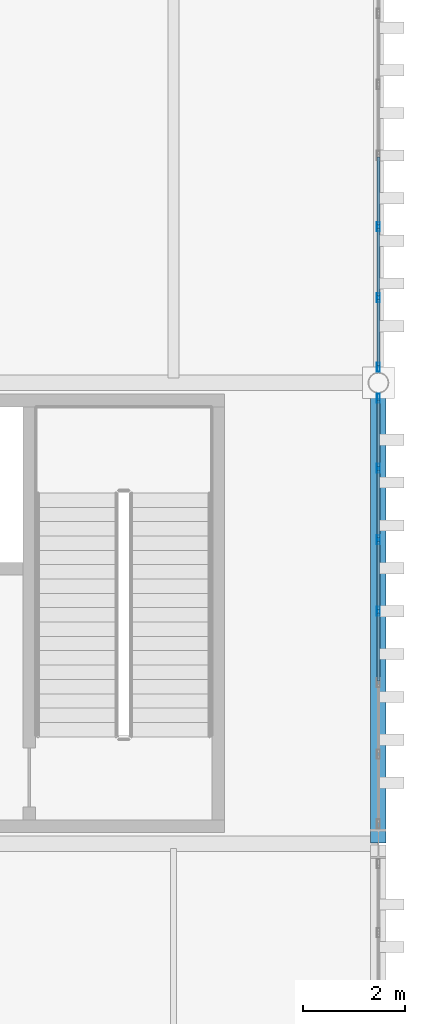
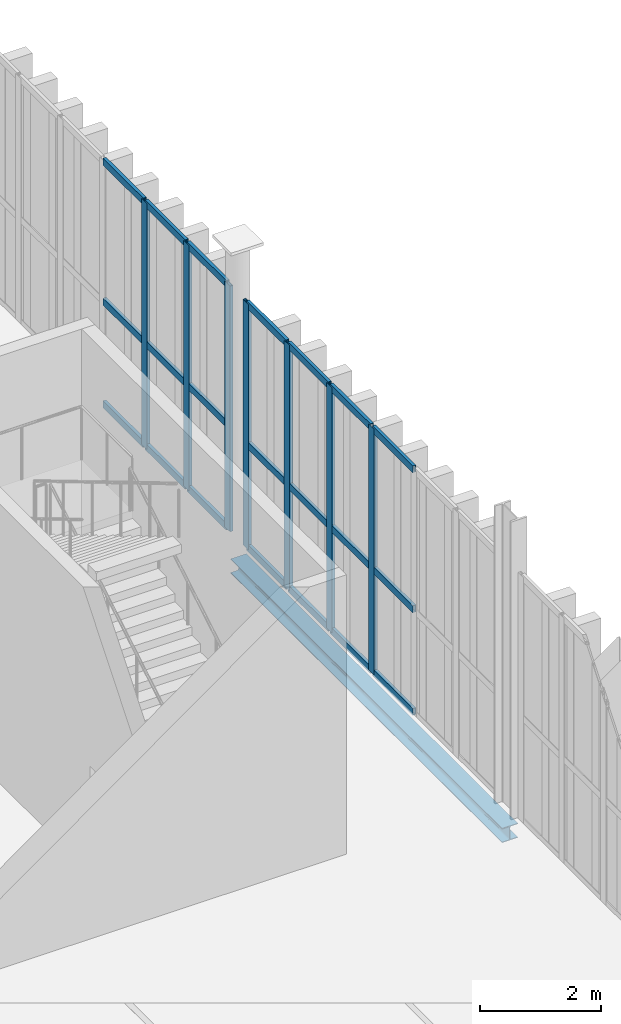
# One storey, part 105 of 211: 28 members, 1 beam, 2 elements without a shape of their own.
"""IFC4 building model written with IfcOpenShell, lengths in metres."""

from ifc_helpers import new_model, si_unit, direction, frame, origin, origin_2d, place, context, subcontext, project, spatial, hollow_rectangle, i_section, extrude, material, layer, layer_set, material_profile, profile_set, type_object, element, aggregate, save


model = new_model("IFC4")

# Units and contexts
model_context = context("Model", 3, precision=1e-05, world=origin(), true_north=direction((0.0, 1.0)))
body_context = subcontext(model_context, "Body", "Model", "MODEL_VIEW")
ifc_project = project(units=[si_unit("LENGTHUNIT", "METRE"), si_unit("AREAUNIT", "SQUARE_METRE"), si_unit("VOLUMEUNIT", "CUBIC_METRE"), si_unit("PLANEANGLEUNIT", "RADIAN"), si_unit("MASSUNIT", "GRAM", prefix="KILO")], contexts=[model_context])

# Site, building, storey
site_placement = place(None, origin())
site = spatial("IfcSite", under=ifc_project, at=site_placement, CompositionType="ELEMENT")
building_placement = place(site_placement, origin())
building = spatial("IfcBuilding", under=site, at=building_placement, Name="Barlavento Convention Centre", CompositionType="ELEMENT")
storey_placement = place(building_placement, frame((0.0, 0.0, 6.0)))
storey = spatial("IfcBuildingStorey", under=building, at=storey_placement, Name="L01", CompositionType="ELEMENT", Elevation=6.0)

# Curtain wall, members
ifc_material_1 = material(Name="Powder-coated aluminium and Low-E glass", Category="aluminium")
ifc_layer = layer(ifc_material_1, 0.195068359375)
ifc_layer_set = layer_set([ifc_layer], Name="ARC-CW-FOY-L01")
curtain_wall_type = type_object("IfcCurtainWallType", Name="ARC-CW-FOY-L01", PredefinedType="NOTDEFINED", material=ifc_layer_set)
curtain_wall_1_placement = place(storey_placement, origin())
curtain_wall_1 = element("IfcCurtainWall", 1, at=curtain_wall_1_placement, inside=storey, type_object=curtain_wall_type, Name="L01 unitised curtain wall CW03", PredefinedType="NOTDEFINED")
ifc_material_2 = material(Name="Powder-coated aluminium", Category="aluminium")
ifc_material_profile_1 = material_profile(ifc_material_2, hollow_rectangle(XDim=0.06005859375, YDim=0.179931640625, WallThickness=0.0048828125, at=origin_2d()), Name="AL-MULL 60x180x5")
ifc_profile_set_1 = profile_set([ifc_material_profile_1], Name="Powder-coated aluminium")
member_type_1 = type_object("IfcMemberType", Name="ARC-CWM-60X180", PredefinedType="MULLION", material=ifc_profile_set_1)
member_1_placement = place(storey_placement, frame((192.0, 40.54150390625, 0.0), z_axis=(0.0, 0.0, 1.0), x_axis=(-1.0, 0.0, 0.0)))
member_1 = element("IfcMember", 2, at=member_1_placement, type_object=member_type_1, Name="CW03 mullion 4", PredefinedType="MULLION", context=body_context, shape_type="SweptSolid", body=[
    extrude(hollow_rectangle(XDim=0.06005859375, YDim=0.179931640625, WallThickness=0.0048828125, at=origin_2d()), origin(), (0.0, 0.0, 1.0), 4.949951171875),
])
member_2_placement = place(storey_placement, frame((192.0, 41.9365234375, 0.0), z_axis=(0.0, 0.0, 1.0), x_axis=(-1.0, 0.0, 0.0)))
member_2 = element("IfcMember", 3, at=member_2_placement, type_object=member_type_1, Name="CW03 mullion 5", PredefinedType="MULLION", context=body_context, shape_type="SweptSolid", body=[
    extrude(hollow_rectangle(XDim=0.06005859375, YDim=0.179931640625, WallThickness=0.0048828125, at=origin_2d()), origin(), (0.0, 0.0, 1.0), 4.949951171875),
])
member_3_placement = place(storey_placement, frame((192.0, 43.331787109375, 0.0), z_axis=(0.0, 0.0, 1.0), x_axis=(-1.0, 0.0, 0.0)))
member_3 = element("IfcMember", 4, at=member_3_placement, type_object=member_type_1, Name="CW03 mullion 6", PredefinedType="MULLION", context=body_context, shape_type="SweptSolid", body=[
    extrude(hollow_rectangle(XDim=0.06005859375, YDim=0.179931640625, WallThickness=0.0048828125, at=origin_2d()), origin(), (0.0, 0.0, 1.0), 4.949951171875),
])
member_4_placement = place(storey_placement, frame((192.0, 44.69677734375, 0.0), z_axis=(0.0, 0.0, 1.0), x_axis=(-1.0, 0.0, 0.0)))
member_4 = element("IfcMember", 5, at=member_4_placement, type_object=member_type_1, Name="CW03 mullion 7", PredefinedType="MULLION", context=body_context, shape_type="SweptSolid", body=[
    extrude(hollow_rectangle(XDim=0.06005859375, YDim=0.179931640625, WallThickness=0.0048828125, at=origin_2d()), origin(), (0.0, 0.0, 1.0), 4.949951171875),
])

curtain_wall_2_placement = place(storey_placement, origin())
curtain_wall_2 = element("IfcCurtainWall", 6, at=curtain_wall_2_placement, inside=storey, type_object=curtain_wall_type, Name="L01 unitised curtain wall CW03", PredefinedType="NOTDEFINED")
member_5_placement = place(storey_placement, frame((192.0, 45.30322265625, 0.0), z_axis=(0.0, 0.0, 1.0), x_axis=(-1.0, 0.0, 0.0)))
member_5 = element("IfcMember", 7, at=member_5_placement, type_object=member_type_1, Name="CW03 mullion 1", PredefinedType="MULLION", context=body_context, shape_type="SweptSolid", body=[
    extrude(hollow_rectangle(XDim=0.06005859375, YDim=0.179931640625, WallThickness=0.0048828125, at=origin_2d()), origin(), (0.0, 0.0, 1.0), 4.949951171875),
])
member_6_placement = place(storey_placement, frame((192.0, 46.660400390625, 0.0), z_axis=(0.0, 0.0, 1.0), x_axis=(-1.0, 0.0, 0.0)))
member_6 = element("IfcMember", 8, at=member_6_placement, type_object=member_type_1, Name="CW03 mullion 2", PredefinedType="MULLION", context=body_context, shape_type="SweptSolid", body=[
    extrude(hollow_rectangle(XDim=0.06005859375, YDim=0.179931640625, WallThickness=0.0048828125, at=origin_2d()), origin(), (0.0, 0.0, 1.0), 4.949951171875),
])
member_7_placement = place(storey_placement, frame((192.0, 48.04736328125, 0.0), z_axis=(0.0, 0.0, 1.0), x_axis=(-1.0, 0.0, 0.0)))
member_7 = element("IfcMember", 9, at=member_7_placement, type_object=member_type_1, Name="CW03 mullion 3", PredefinedType="MULLION", context=body_context, shape_type="SweptSolid", body=[
    extrude(hollow_rectangle(XDim=0.06005859375, YDim=0.179931640625, WallThickness=0.0048828125, at=origin_2d()), origin(), (0.0, 0.0, 1.0), 4.949951171875),
])

# Member
ifc_material_profile_2 = material_profile(ifc_material_2, hollow_rectangle(XDim=0.06005859375, YDim=0.139892578125, WallThickness=0.00390625, at=origin_2d()), Name="AL-TRAN 60x140x4")
ifc_profile_set_2 = profile_set([ifc_material_profile_2], Name="Powder-coated aluminium")
member_type_2 = type_object("IfcMemberType", Name="ARC-CWT-60X140", PredefinedType="USERDEFINED", material=ifc_profile_set_2)
member_8_placement = place(storey_placement, frame((192.0, 39.17626953125, 0.030029296875), z_axis=(0.0, 1.0, 0.0), x_axis=(-1.0, 0.0, 0.0)))
member_8 = element("IfcMember", 10, at=member_8_placement, type_object=member_type_2, Name="CW03 transom 3.1", ObjectType="TRANSOM", PredefinedType="USERDEFINED", context=body_context, shape_type="SweptSolid", body=[
    extrude(hollow_rectangle(XDim=0.06005859375, YDim=0.139892578125, WallThickness=0.00390625, at=origin_2d()), origin(), (0.0, 0.0, 1.0), 1.335205078125),
])

member_9_placement = place(storey_placement, frame((192.0, 39.17626953125, 2.10009765625), z_axis=(0.0, 1.0, 0.0), x_axis=(-1.0, 0.0, 0.0)))
member_9 = element("IfcMember", 11, at=member_9_placement, type_object=member_type_2, Name="CW03 transom 3.2", ObjectType="TRANSOM", PredefinedType="USERDEFINED", context=body_context, shape_type="SweptSolid", body=[
    extrude(hollow_rectangle(XDim=0.06005859375, YDim=0.139892578125, WallThickness=0.00390625, at=origin_2d()), origin(), (0.0, 0.0, 1.0), 1.335205078125),
])

member_10_placement = place(storey_placement, frame((192.0, 39.17626953125, 4.919921875), z_axis=(0.0, 1.0, 0.0), x_axis=(-1.0, 0.0, 0.0)))
member_10 = element("IfcMember", 12, at=member_10_placement, type_object=member_type_2, Name="CW03 transom 3.3", ObjectType="TRANSOM", PredefinedType="USERDEFINED", context=body_context, shape_type="SweptSolid", body=[
    extrude(hollow_rectangle(XDim=0.06005859375, YDim=0.139892578125, WallThickness=0.00390625, at=origin_2d()), origin(), (0.0, 0.0, 1.0), 1.335205078125),
])

member_11_placement = place(storey_placement, frame((192.0, 40.5712890625, 0.030029296875), z_axis=(0.0, 1.0, 0.0), x_axis=(-1.0, 0.0, 0.0)))
member_11 = element("IfcMember", 13, at=member_11_placement, type_object=member_type_2, Name="CW03 transom 4.1", ObjectType="TRANSOM", PredefinedType="USERDEFINED", context=body_context, shape_type="SweptSolid", body=[
    extrude(hollow_rectangle(XDim=0.06005859375, YDim=0.139892578125, WallThickness=0.00390625, at=origin_2d()), origin(), (0.0, 0.0, 1.0), 1.335205078125),
])

member_12_placement = place(storey_placement, frame((192.0, 40.5712890625, 2.10009765625), z_axis=(0.0, 1.0, 0.0), x_axis=(-1.0, 0.0, 0.0)))
member_12 = element("IfcMember", 14, at=member_12_placement, type_object=member_type_2, Name="CW03 transom 4.2", ObjectType="TRANSOM", PredefinedType="USERDEFINED", context=body_context, shape_type="SweptSolid", body=[
    extrude(hollow_rectangle(XDim=0.06005859375, YDim=0.139892578125, WallThickness=0.00390625, at=origin_2d()), origin(), (0.0, 0.0, 1.0), 1.335205078125),
])

member_13_placement = place(storey_placement, frame((192.0, 40.5712890625, 4.919921875), z_axis=(0.0, 1.0, 0.0), x_axis=(-1.0, 0.0, 0.0)))
member_13 = element("IfcMember", 15, at=member_13_placement, type_object=member_type_2, Name="CW03 transom 4.3", ObjectType="TRANSOM", PredefinedType="USERDEFINED", context=body_context, shape_type="SweptSolid", body=[
    extrude(hollow_rectangle(XDim=0.06005859375, YDim=0.139892578125, WallThickness=0.00390625, at=origin_2d()), origin(), (0.0, 0.0, 1.0), 1.335205078125),
])

member_14_placement = place(storey_placement, frame((192.0, 41.966552734375, 0.030029296875), z_axis=(0.0, 1.0, 0.0), x_axis=(-1.0, 0.0, 0.0)))
member_14 = element("IfcMember", 16, at=member_14_placement, type_object=member_type_2, Name="CW03 transom 5.1", ObjectType="TRANSOM", PredefinedType="USERDEFINED", context=body_context, shape_type="SweptSolid", body=[
    extrude(hollow_rectangle(XDim=0.06005859375, YDim=0.139892578125, WallThickness=0.00390625, at=origin_2d()), origin(), (0.0, 0.0, 1.0), 1.335205078125),
])

member_15_placement = place(storey_placement, frame((192.0, 41.966552734375, 2.10009765625), z_axis=(0.0, 1.0, 0.0), x_axis=(-1.0, 0.0, 0.0)))
member_15 = element("IfcMember", 17, at=member_15_placement, type_object=member_type_2, Name="CW03 transom 5.2", ObjectType="TRANSOM", PredefinedType="USERDEFINED", context=body_context, shape_type="SweptSolid", body=[
    extrude(hollow_rectangle(XDim=0.06005859375, YDim=0.139892578125, WallThickness=0.00390625, at=origin_2d()), origin(), (0.0, 0.0, 1.0), 1.335205078125),
])

member_16_placement = place(storey_placement, frame((192.0, 41.966552734375, 4.919921875), z_axis=(0.0, 1.0, 0.0), x_axis=(-1.0, 0.0, 0.0)))
member_16 = element("IfcMember", 18, at=member_16_placement, type_object=member_type_2, Name="CW03 transom 5.3", ObjectType="TRANSOM", PredefinedType="USERDEFINED", context=body_context, shape_type="SweptSolid", body=[
    extrude(hollow_rectangle(XDim=0.06005859375, YDim=0.139892578125, WallThickness=0.00390625, at=origin_2d()), origin(), (0.0, 0.0, 1.0), 1.335205078125),
])

member_17_placement = place(storey_placement, frame((192.0, 43.361572265625, 0.030029296875), z_axis=(0.0, 1.0, 0.0), x_axis=(-1.0, 0.0, 0.0)))
member_17 = element("IfcMember", 19, at=member_17_placement, type_object=member_type_2, Name="CW03 transom 6.1", ObjectType="TRANSOM", PredefinedType="USERDEFINED", context=body_context, shape_type="SweptSolid", body=[
    extrude(hollow_rectangle(XDim=0.06005859375, YDim=0.139892578125, WallThickness=0.00390625, at=origin_2d()), origin(), (0.0, 0.0, 1.0), 1.30517578125),
])

member_18_placement = place(storey_placement, frame((192.0, 43.361572265625, 2.10009765625), z_axis=(0.0, 1.0, 0.0), x_axis=(-1.0, 0.0, 0.0)))
member_18 = element("IfcMember", 20, at=member_18_placement, type_object=member_type_2, Name="CW03 transom 6.2", ObjectType="TRANSOM", PredefinedType="USERDEFINED", context=body_context, shape_type="SweptSolid", body=[
    extrude(hollow_rectangle(XDim=0.06005859375, YDim=0.139892578125, WallThickness=0.00390625, at=origin_2d()), origin(), (0.0, 0.0, 1.0), 1.30517578125),
])

member_19_placement = place(storey_placement, frame((192.0, 43.361572265625, 4.919921875), z_axis=(0.0, 1.0, 0.0), x_axis=(-1.0, 0.0, 0.0)))
member_19 = element("IfcMember", 21, at=member_19_placement, type_object=member_type_2, Name="CW03 transom 6.3", ObjectType="TRANSOM", PredefinedType="USERDEFINED", context=body_context, shape_type="SweptSolid", body=[
    extrude(hollow_rectangle(XDim=0.06005859375, YDim=0.139892578125, WallThickness=0.00390625, at=origin_2d()), origin(), (0.0, 0.0, 1.0), 1.30517578125),
])

aggregate(curtain_wall_1, [member_1, member_2, member_3, member_4, member_8, member_9, member_10, member_11, member_12, member_13, member_14, member_15, member_16, member_17, member_18, member_19])

member_20_placement = place(storey_placement, frame((192.0, 45.333251953125, 0.030029296875), z_axis=(0.0, 1.0, 0.0), x_axis=(-1.0, 0.0, 0.0)))
member_20 = element("IfcMember", 22, at=member_20_placement, type_object=member_type_2, Name="CW03 transom 1.1", ObjectType="TRANSOM", PredefinedType="USERDEFINED", context=body_context, shape_type="SweptSolid", body=[
    extrude(hollow_rectangle(XDim=0.06005859375, YDim=0.139892578125, WallThickness=0.00390625, at=origin_2d()), origin(), (0.0, 0.0, 1.0), 1.297119140625),
])

member_21_placement = place(storey_placement, frame((192.0, 45.333251953125, 2.10009765625), z_axis=(0.0, 1.0, 0.0), x_axis=(-1.0, 0.0, 0.0)))
member_21 = element("IfcMember", 23, at=member_21_placement, type_object=member_type_2, Name="CW03 transom 1.2", ObjectType="TRANSOM", PredefinedType="USERDEFINED", context=body_context, shape_type="SweptSolid", body=[
    extrude(hollow_rectangle(XDim=0.06005859375, YDim=0.139892578125, WallThickness=0.00390625, at=origin_2d()), origin(), (0.0, 0.0, 1.0), 1.297119140625),
])

member_22_placement = place(storey_placement, frame((192.0, 45.333251953125, 4.919921875), z_axis=(0.0, 1.0, 0.0), x_axis=(-1.0, 0.0, 0.0)))
member_22 = element("IfcMember", 24, at=member_22_placement, type_object=member_type_2, Name="CW03 transom 1.3", ObjectType="TRANSOM", PredefinedType="USERDEFINED", context=body_context, shape_type="SweptSolid", body=[
    extrude(hollow_rectangle(XDim=0.06005859375, YDim=0.139892578125, WallThickness=0.00390625, at=origin_2d()), origin(), (0.0, 0.0, 1.0), 1.297119140625),
])

member_23_placement = place(storey_placement, frame((192.0, 46.6904296875, 0.030029296875), z_axis=(0.0, 1.0, 0.0), x_axis=(-1.0, 0.0, 0.0)))
member_23 = element("IfcMember", 25, at=member_23_placement, type_object=member_type_2, Name="CW03 transom 2.1", ObjectType="TRANSOM", PredefinedType="USERDEFINED", context=body_context, shape_type="SweptSolid", body=[
    extrude(hollow_rectangle(XDim=0.06005859375, YDim=0.139892578125, WallThickness=0.00390625, at=origin_2d()), origin(), (0.0, 0.0, 1.0), 1.3271484375),
])

member_24_placement = place(storey_placement, frame((192.0, 46.6904296875, 2.10009765625), z_axis=(0.0, 1.0, 0.0), x_axis=(-1.0, 0.0, 0.0)))
member_24 = element("IfcMember", 26, at=member_24_placement, type_object=member_type_2, Name="CW03 transom 2.2", ObjectType="TRANSOM", PredefinedType="USERDEFINED", context=body_context, shape_type="SweptSolid", body=[
    extrude(hollow_rectangle(XDim=0.06005859375, YDim=0.139892578125, WallThickness=0.00390625, at=origin_2d()), origin(), (0.0, 0.0, 1.0), 1.3271484375),
])

member_25_placement = place(storey_placement, frame((192.0, 46.6904296875, 4.919921875), z_axis=(0.0, 1.0, 0.0), x_axis=(-1.0, 0.0, 0.0)))
member_25 = element("IfcMember", 27, at=member_25_placement, type_object=member_type_2, Name="CW03 transom 2.3", ObjectType="TRANSOM", PredefinedType="USERDEFINED", context=body_context, shape_type="SweptSolid", body=[
    extrude(hollow_rectangle(XDim=0.06005859375, YDim=0.139892578125, WallThickness=0.00390625, at=origin_2d()), origin(), (0.0, 0.0, 1.0), 1.3271484375),
])

member_26_placement = place(storey_placement, frame((192.0, 48.077392578125, 0.030029296875), z_axis=(0.0, 1.0, 0.0), x_axis=(-1.0, 0.0, 0.0)))
member_26 = element("IfcMember", 28, at=member_26_placement, type_object=member_type_2, Name="CW03 transom 3.1", ObjectType="TRANSOM", PredefinedType="USERDEFINED", context=body_context, shape_type="SweptSolid", body=[
    extrude(hollow_rectangle(XDim=0.06005859375, YDim=0.139892578125, WallThickness=0.00390625, at=origin_2d()), origin(), (0.0, 0.0, 1.0), 1.3271484375),
])

member_27_placement = place(storey_placement, frame((192.0, 48.077392578125, 2.10009765625), z_axis=(0.0, 1.0, 0.0), x_axis=(-1.0, 0.0, 0.0)))
member_27 = element("IfcMember", 29, at=member_27_placement, type_object=member_type_2, Name="CW03 transom 3.2", ObjectType="TRANSOM", PredefinedType="USERDEFINED", context=body_context, shape_type="SweptSolid", body=[
    extrude(hollow_rectangle(XDim=0.06005859375, YDim=0.139892578125, WallThickness=0.00390625, at=origin_2d()), origin(), (0.0, 0.0, 1.0), 1.3271484375),
])

member_28_placement = place(storey_placement, frame((192.0, 48.077392578125, 4.919921875), z_axis=(0.0, 1.0, 0.0), x_axis=(-1.0, 0.0, 0.0)))
member_28 = element("IfcMember", 30, at=member_28_placement, type_object=member_type_2, Name="CW03 transom 3.3", ObjectType="TRANSOM", PredefinedType="USERDEFINED", context=body_context, shape_type="SweptSolid", body=[
    extrude(hollow_rectangle(XDim=0.06005859375, YDim=0.139892578125, WallThickness=0.00390625, at=origin_2d()), origin(), (0.0, 0.0, 1.0), 1.3271484375),
])

aggregate(curtain_wall_2, [member_5, member_6, member_7, member_20, member_21, member_22, member_23, member_24, member_25, member_26, member_27, member_28])

# Beam
ifc_material_3 = material(Name="Steel S355", Category="steel")
ifc_material_profile_3 = material_profile(ifc_material_3, i_section(OverallWidth=0.300048828125, OverallDepth=0.2900390625, WebThickness=0.008544921875, FlangeThickness=0.013916015625, FilletRadius=0.027099609375, at=origin_2d()), Name="HEA 300")
ifc_profile_set_3 = profile_set([ifc_material_profile_3], Name="Steel S355")
beam_type = type_object("IfcBeamType", Name="STR-BM-SPN-HEA300", PredefinedType="SPANDREL", material=ifc_profile_set_3)
beam_placement = place(storey_placement, frame((192.0, 36.02001953125, -0.5048828125), z_axis=(0.0, 1.0, 0.0), x_axis=(-1.0, 0.0, 0.0)))
element("IfcBeam", 31, at=beam_placement, inside=storey, type_object=beam_type, Name="L01 grid girder SP02", PredefinedType="SPANDREL", context=body_context, shape_type="SweptSolid", body=[
    extrude(i_section(OverallWidth=0.300048828125, OverallDepth=0.2900390625, WebThickness=0.008544921875, FlangeThickness=0.013916015625, FilletRadius=0.027099609375, at=origin_2d()), origin(), (0.0, 0.0, 1.0), 8.9599609375),
])

save(model, "model.ifc")
